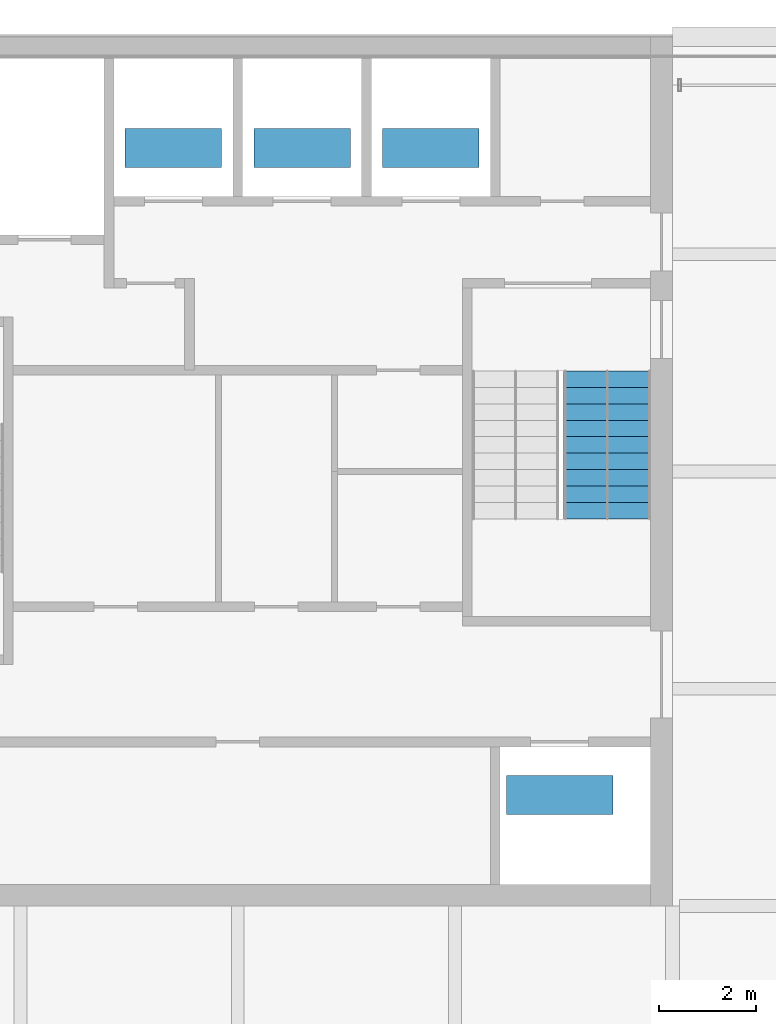
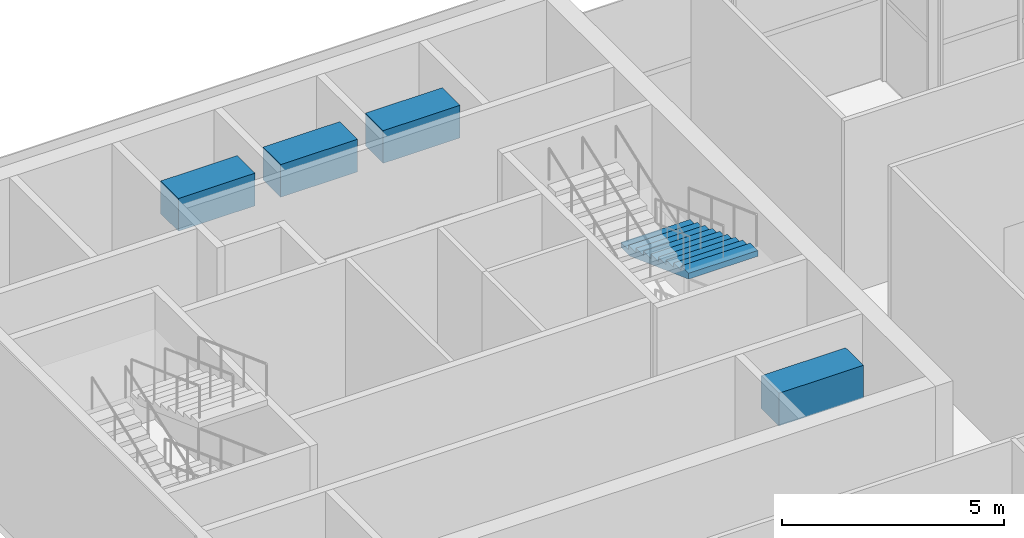
# One storey, part 13 of 14: 4 discrete accessories, 1 stair flight, 1 element without a shape of its own.
"""IFC4 building model written with IfcOpenShell, lengths in metres."""

from ifc_helpers import new_model, si_unit, direction, frame, origin, origin_2d, place, context, subcontext, project, spatial, polyline, rectangle, outline, extrude, material, type_object, element, aggregate, save


model = new_model("IFC4")

# Units and contexts
model_context = context("Model", 3, precision=1e-05, world=origin(), true_north=direction((0.0, 1.0)))
body_context = subcontext(model_context, "Body", "Model", "MODEL_VIEW")
ifc_project = project(units=[si_unit("LENGTHUNIT", "METRE"), si_unit("AREAUNIT", "SQUARE_METRE"), si_unit("VOLUMEUNIT", "CUBIC_METRE"), si_unit("PLANEANGLEUNIT", "RADIAN"), si_unit("MASSUNIT", "GRAM", prefix="KILO")], contexts=[model_context])

# Site, building, storey
site_placement = place(None, origin())
site = spatial("IfcSite", under=ifc_project, at=site_placement, CompositionType="ELEMENT")
building_placement = place(site_placement, origin())
building = spatial("IfcBuilding", under=site, at=building_placement, Name="Altepetl Exchange Towers", CompositionType="ELEMENT")
storey_placement = place(building_placement, frame((0.0, 0.0, 269.60009765625)))
storey = spatial("IfcBuildingStorey", under=building, at=storey_placement, Name="L68 Observation gallery", CompositionType="ELEMENT", Elevation=269.60009765625)

# Stair, stair flight
ifc_material = material(Name="Concrete C40/50", Category="concrete")
stair_type = type_object("IfcStairType", Name="Exit stair 1800 flights dogleg", PredefinedType="HALF_TURN_STAIR", material=ifc_material)
stair_placement = place(storey_placement, origin())
stair = element("IfcStair", 1, at=stair_placement, inside=storey, type_object=stair_type, Name="Exit stair 2", PredefinedType="HALF_TURN_STAIR")
stair_flight_type = type_object("IfcStairFlightType", Name="Stair flight 1800 wide", PredefinedType="STRAIGHT", material=ifc_material)
stair_flight_placement = place(storey_placement, frame((57.14990234375, 51.580078125, 2.5), z_axis=(0.0, 0.0, 1.0), x_axis=(0.0, -1.0, 0.0)))
stair_flight = element("IfcStairFlight", 2, at=stair_flight_placement, type_object=stair_flight_type, Name="ST-A2j flight 3", NumberOfRisers=10, NumberOfTreads=9, PredefinedType="STRAIGHT", RiserHeight=0.125, TreadLength=0.34, context=body_context, shape_type="SweptSolid", body=[
    extrude(outline(polyline([(0.0, 0.0), (0.0, 0.125), (0.340087890625, 0.125), (0.340087890625, 0.25), (0.679931640625, 0.25), (0.679931640625, 0.375), (1.02001953125, 0.375), (1.02001953125, 0.5), (1.360107421875, 0.5), (1.360107421875, 0.625), (1.699951171875, 0.625), (1.699951171875, 0.75), (2.0400390625, 0.75), (2.0400390625, 0.875), (2.3798828125, 0.875), (2.3798828125, 1.0), (2.719970703125, 1.0), (2.719970703125, 1.125), (3.06005859375, 1.125), (3.06005859375, 1.25), (3.06005859375, 0.96533203125), (0.434326171875, 0.0), (0.0, 0.0)])), frame((0.0, 0.89990234375, 0.0), z_axis=(0.0, -1.0, 0.0), x_axis=(1.0, 0.0, 0.0)), (0.0, 0.0, 1.0), 1.800048828125),
])
aggregate(stair, [stair_flight])

# Discrete accessories
discrete_accessory_placement = place(storey_placement, frame((56.166748046875, 42.800048828125, 3.550048828125)))
element("IfcDiscreteAccessory", 3, at=discrete_accessory_placement, inside=storey, Name="Lift machine OBS1", ObjectType="LIFT MACHINE", PredefinedType="USERDEFINED", context=body_context, shape_type="SweptSolid", body=[
    extrude(rectangle(XDim=2.199951171875, YDim=0.800048828125, at=origin_2d()), origin(), (0.0, 0.0, 1.0), 0.89990234375),
])
for number, where, name in (
    (4, (48.166748046875, 56.199951171875, 3.550048828125), "Lift machine P5"),
    (5, (50.833251953125, 56.199951171875, 3.550048828125), "Lift machine P6"),
    (6, (53.5, 56.199951171875, 3.550048828125), "Lift machine P7"),
):
    element("IfcDiscreteAccessory", number, at=place(storey_placement, frame(where)), inside=storey, Name=name, ObjectType="LIFT MACHINE", PredefinedType="USERDEFINED", context=body_context, shape_type="SweptSolid", body=[
        extrude(rectangle(XDim=2.0, YDim=0.800048828125, at=origin_2d()), origin(), (0.0, 0.0, 1.0), 0.89990234375),
    ])

save(model, "model.ifc")
